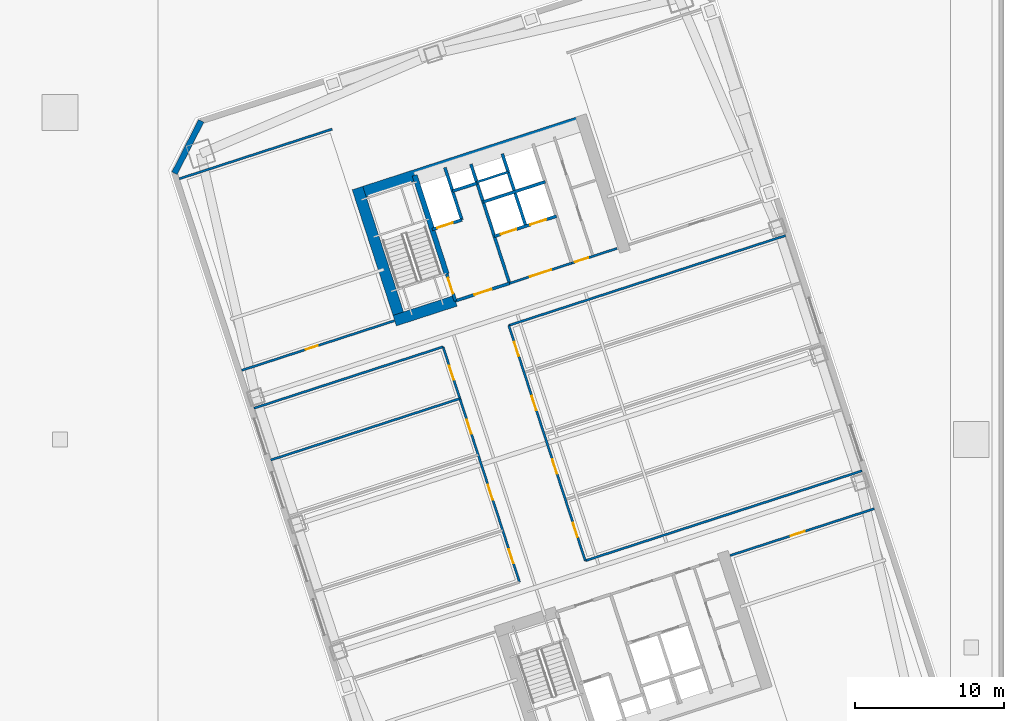
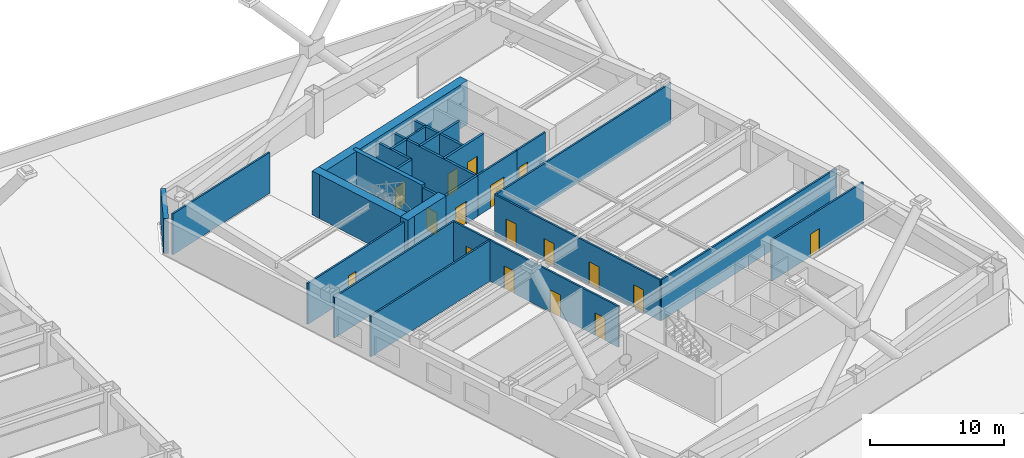
# One storey, part 10 of 20: 26 walls, 17 doors, 17 openings.
"""IFC4 building model written with IfcOpenShell, lengths in metres."""

from ifc_helpers import new_model, si_unit, direction, frame, frame_2d, origin, place, context, subcontext, project, spatial, rectangle, extrude, material, layer, layer_set, type_object, element, fill, save


model = new_model("IFC4")

# Units and contexts
model_context = context("Model", 3, precision=1e-05, world=origin(), true_north=direction((0.0, 1.0)))
body_context = subcontext(model_context, "Body", "Model", "MODEL_VIEW")
ifc_project = project(units=[si_unit("LENGTHUNIT", "METRE"), si_unit("AREAUNIT", "SQUARE_METRE"), si_unit("VOLUMEUNIT", "CUBIC_METRE"), si_unit("PLANEANGLEUNIT", "RADIAN"), si_unit("MASSUNIT", "GRAM", prefix="KILO")], contexts=[model_context])

# Site, building, storey
site_placement = place(None, origin())
site = spatial("IfcSite", under=ifc_project, at=site_placement, CompositionType="ELEMENT")
building_placement = place(site_placement, origin())
building = spatial("IfcBuilding", under=site, at=building_placement, Name="Qiaolan Cultural Towers", CompositionType="ELEMENT")
storey_placement = place(building_placement, frame((0.0, 0.0, 26.0)))
storey = spatial("IfcBuildingStorey", under=building, at=storey_placement, Name="L05", CompositionType="ELEMENT", Elevation=26.0)

# Walls
ifc_material_1 = material(Name="Concrete C50", Category="concrete")
ifc_layer_1 = layer(ifc_material_1, 0.35009765625)
ifc_layer_set_1 = layer_set([ifc_layer_1], Name="Concrete C50")
wall_type_1 = type_object("IfcWallType", Name="WL-CORE-350", PredefinedType="SHEAR", material=ifc_layer_set_1)
wall_1_placement = place(storey_placement, frame((82.513671875, 45.13134765625, 0.0), z_axis=(0.0, 0.0, 1.0), x_axis=(-0.308988790936, 0.951065679686, 0.0)))
element("IfcWall", 1, at=wall_1_placement, inside=storey, type_object=wall_type_1, Name="L05 T2-CN Stair Core Dividing Web", PredefinedType="SHEAR", context=body_context, shape_type="SweptSolid", body=[
    extrude(rectangle(XDim=6.97998046875, YDim=0.35009765625, at=frame_2d((3.489990234375, 0.0))), origin(), (0.0, 0.0, 1.0), 4.0),
])
ifc_material_2 = material(Name="Concrete C60", Category="concrete")
ifc_layer_2 = layer(ifc_material_2, 0.75)
ifc_layer_set_2 = layer_set([ifc_layer_2], Name="Concrete C60")
wall_type_2 = type_object("IfcWallType", Name="WL-CORE-750", PredefinedType="SHEAR", material=ifc_layer_set_2)
wall_2_placement = place(storey_placement, frame((76.27197265625, 50.442626953125, 0.0), z_axis=(0.0, 0.0, 1.0), x_axis=(0.951056072937, 0.309018358888, 0.0)))
element("IfcWall", 2, at=wall_2_placement, inside=storey, type_object=wall_type_2, Name="L05 T2-CN Outer Core Shear Wall", PredefinedType="SHEAR", context=body_context, shape_type="SweptSolid", body=[
    extrude(rectangle(XDim=16.550048828125, YDim=0.75, at=frame_2d((8.27490234375, 0.0))), origin(), (0.0, 0.0, 1.0), 4.0),
])
wall_3_placement = place(storey_placement, frame((79.48876953125, 41.75634765625, 0.0), z_axis=(0.0, 0.0, 1.0), x_axis=(-0.309016134813, 0.951056795583, 0.0)))
element("IfcWall", 3, at=wall_3_placement, inside=storey, type_object=wall_type_2, Name="L05 T2-CN West Core Shear Wall", PredefinedType="SHEAR", context=body_context, shape_type="SweptSolid", body=[
    extrude(rectangle(XDim=9.630126953125, YDim=0.75, at=frame_2d((4.81494140625, 0.0))), origin(), (0.0, 0.0, 1.0), 4.0),
])
wall_4_placement = place(storey_placement, frame((79.01611328125, 41.997314453125, 0.0), z_axis=(0.0, 0.0, 1.0), x_axis=(0.95106038264, 0.309005094736, 0.0)))
element("IfcWall", 4, at=wall_4_placement, inside=storey, type_object=wall_type_2, Name="L05 T2-CN Stair Front Shear Wall", PredefinedType="SHEAR", context=body_context, shape_type="SweptSolid", body=[
    extrude(rectangle(XDim=4.294921875, YDim=0.75, at=frame_2d((2.1474609375, 0.0))), origin(), (0.0, 0.0, 1.0), 4.0),
])
ifc_material_3 = material(Name="Precast Concrete C50 Honed Stone Pier", Category="masonry")
ifc_layer_3 = layer(ifc_material_3, 0.39990234375)
ifc_layer_set_3 = layer_set([ifc_layer_3], Name="Precast Concrete C50 Honed Stone Pier")
wall_type_3 = type_object("IfcWallType", Name="WL-EXT-PIER-400", PredefinedType="SOLIDWALL", material=ifc_layer_set_3)
wall_5_placement = place(storey_placement, frame((64.20458984375, 51.905029296875, 0.0), z_axis=(0.0, 0.0, 1.0), x_axis=(0.453958106755, 0.891023028497, 0.0)))
element("IfcWall", 5, at=wall_5_placement, inside=storey, type_object=wall_type_3, Name="L05 East Tower Precast Pier Facade Wall F2", PredefinedType="SOLIDWALL", context=body_context, shape_type="SweptSolid", body=[
    extrude(rectangle(XDim=3.9599609375, YDim=0.39990234375, at=frame_2d((1.97998046875, 0.0))), origin(), (0.0, 0.0, 1.0), 3.159912109375),
])

# Wall, opening, door
ifc_material_4 = material(Name="Concrete C35 Fire Wall", Category="concrete")
ifc_layer_4 = layer(ifc_material_4, 0.199951171875)
ifc_layer_set_4 = layer_set([ifc_layer_4], Name="Concrete C35 Fire Wall")
wall_type_4 = type_object("IfcWallType", Name="WL-FIRE-200", PredefinedType="PARTITIONING", material=ifc_layer_set_4)
wall_6_placement = place(storey_placement, frame((83.100830078125, 43.324462890625, 0.0), z_axis=(0.0, 0.0, 1.0), x_axis=(-0.309048298632, 0.951046344356, 0.0)))
wall_6 = element("IfcWall", 6, at=wall_6_placement, inside=storey, type_object=wall_type_4, Name="L05 T2-CN Smokeproof Stair Entry Wall", PredefinedType="PARTITIONING", context=body_context, shape_type="SweptSolid", body=[
    extrude(rectangle(XDim=1.89990234375, YDim=0.199951171875, at=frame_2d((0.949951171875, 0.0))), origin(), (0.0, 0.0, 1.0), 3.72509765625),
])
opening_1_placement = place(wall_6_placement, frame((0.52001953125, 0.0, 0.0)))
opening_1 = element("IfcOpeningElement", 7, at=opening_1_placement, cuts=wall_6, Name="Opening FD-04", PredefinedType="OPENING", context=body_context, shape_type="SweptSolid", body=[
    extrude(rectangle(XDim=1.10009765625, YDim=2.050048828125, at=frame_2d((0.550048828125, 1.02490234375))), frame((0.0, 0.10986328125, 0.0), z_axis=(0.0, -1.0, 0.0), x_axis=(1.0, 0.0, 0.0)), (0.0, 0.0, 1.0), 0.219970703125),
])
ifc_material_5 = material(Name="Galvanized Steel Command Fire Door", Category="steel")
door_type_1 = type_object("IfcDoorType", Name="DR-FD90-1100", OperationType="NOTDEFINED", PredefinedType="DOOR", material=ifc_material_5)
door_1_placement = place(opening_1_placement, origin())
door_1 = element("IfcDoor", 8, at=door_1_placement, inside=storey, type_object=door_type_1, Name="L05 ST-E2 Smokeproof Stair Fire Door", OperationType="SINGLE_SWING_LEFT", OverallHeight=2.050048828125, OverallWidth=1.10009765625, PredefinedType="DOOR", context=body_context, shape_type="SweptSolid", body=[
    extrude(rectangle(XDim=1.10009765625, YDim=2.050048828125, at=frame_2d((0.550048828125, 1.02490234375))), frame((0.0, 0.02490234375, 0.0), z_axis=(0.0, -1.0, 0.0), x_axis=(1.0, 0.0, 0.0)), (0.0, 0.0, 1.0), 0.050048828125),
])
fill(opening_1, door_1)

# Wall
wall_7_placement = place(storey_placement, frame((86.743408203125, 44.508056640625, 0.0), z_axis=(0.0, 0.0, 1.0), x_axis=(-0.309016001439, 0.951056838919, 0.0)))
element("IfcWall", 9, at=wall_7_placement, inside=storey, type_object=wall_type_4, Name="L05 T2-CN Firefighting Zone Wall", PredefinedType="PARTITIONING", context=body_context, shape_type="SweptSolid", body=[
    extrude(rectangle(XDim=8.429931640625, YDim=0.199951171875, at=frame_2d((4.21484375, 0.0))), origin(), (0.0, 0.0, 1.0), 3.72509765625),
])

# Wall, opening, door
wall_8_placement = place(storey_placement, frame((83.100830078125, 43.324462890625, 0.0), z_axis=(0.0, 0.0, 1.0), x_axis=(0.951052804469, 0.309028417967, 0.0)))
wall_8 = element("IfcWall", 10, at=wall_8_placement, inside=storey, type_object=wall_type_4, Name="L05 T2-CN Firefighting Lobby Front Wall", PredefinedType="PARTITIONING", context=body_context, shape_type="SweptSolid", body=[
    extrude(rectangle(XDim=3.830078125, YDim=0.199951171875, at=frame_2d((1.9150390625, 0.0))), origin(), (0.0, 0.0, 1.0), 3.72509765625),
])
opening_2_placement = place(wall_8_placement, frame((1.35009765625, 0.0, 0.0)))
opening_2 = element("IfcOpeningElement", 11, at=opening_2_placement, cuts=wall_8, Name="Opening FD-03", PredefinedType="OPENING", context=body_context, shape_type="SweptSolid", body=[
    extrude(rectangle(XDim=1.199951171875, YDim=2.050048828125, at=frame_2d((0.60009765625, 1.02490234375))), frame((0.0, 0.10986328125, 0.0), z_axis=(0.0, -1.0, 0.0), x_axis=(1.0, 0.0, 0.0)), (0.0, 0.0, 1.0), 0.219970703125),
])
ifc_material_6 = material(Name="Galvanized Steel Smokeproof Lobby Fire Door", Category="steel")
door_type_2 = type_object("IfcDoorType", Name="DR-FD90-1200", OperationType="NOTDEFINED", PredefinedType="DOOR", material=ifc_material_6)
door_2_placement = place(opening_2_placement, origin())
door_2 = element("IfcDoor", 12, at=door_2_placement, inside=storey, type_object=door_type_2, Name="L05 FFL-E2 Firefighting Lobby Fire Door", OperationType="SINGLE_SWING_LEFT", OverallHeight=2.050048828125, OverallWidth=1.199951171875, PredefinedType="DOOR", context=body_context, shape_type="SweptSolid", body=[
    extrude(rectangle(XDim=1.199951171875, YDim=2.050048828125, at=frame_2d((0.60009765625, 1.02490234375))), frame((0.0, 0.02490234375, 0.0), z_axis=(0.0, -1.0, 0.0), x_axis=(1.0, 0.0, 0.0)), (0.0, 0.0, 1.0), 0.050048828125),
])
fill(opening_2, door_2)

wall_9_placement = place(storey_placement, frame((81.540283203125, 48.127197265625, 0.0), z_axis=(0.0, 0.0, 1.0), x_axis=(0.951062257173, 0.308999325213, 0.0)))
wall_9 = element("IfcWall", 13, at=wall_9_placement, inside=storey, type_object=wall_type_4, Name="L05 T2-CN Firefighting Shaft Front Wall", PredefinedType="PARTITIONING", context=body_context, shape_type="SweptSolid", body=[
    extrude(rectangle(XDim=2.10009765625, YDim=0.199951171875, at=frame_2d((1.050048828125, 0.0))), origin(), (0.0, 0.0, 1.0), 3.72509765625),
])
opening_3_placement = place(wall_9_placement, frame((0.35009765625, 0.0, 0.0)))
opening_3 = element("IfcOpeningElement", 14, at=opening_3_placement, cuts=wall_9, Name="Opening LD-01", PredefinedType="OPENING", context=body_context, shape_type="SweptSolid", body=[
    extrude(rectangle(XDim=1.10009765625, YDim=2.050048828125, at=frame_2d((0.550048828125, 1.02490234375))), frame((0.0, 0.10986328125, 0.0), z_axis=(0.0, -1.0, 0.0), x_axis=(1.0, 0.0, 0.0)), (0.0, 0.0, 1.0), 0.219970703125),
])
ifc_material_7 = material(Name="Brushed Stainless Steel S30408 Centre-Parting Lift Landing Door", Category="steel")
door_type_3 = type_object("IfcDoorType", Name="DR-LIFT-1100", OperationType="NOTDEFINED", PredefinedType="DOOR", material=ifc_material_7)
door_3_placement = place(opening_3_placement, origin())
door_3 = element("IfcDoor", 15, at=door_3_placement, inside=storey, type_object=door_type_3, Name="L05 FFL-E2 Firefighting Lift Landing Door", OperationType="DOUBLE_DOOR_SLIDING", OverallHeight=2.050048828125, OverallWidth=1.10009765625, PredefinedType="DOOR", context=body_context, shape_type="SweptSolid", body=[
    extrude(rectangle(XDim=1.10009765625, YDim=2.050048828125, at=frame_2d((0.550048828125, 1.02490234375))), frame((0.0, 0.02490234375, 0.0), z_axis=(0.0, -1.0, 0.0), x_axis=(1.0, 0.0, 0.0)), (0.0, 0.0, 1.0), 0.050048828125),
])
fill(opening_3, door_3)

# Walls
wall_10_placement = place(storey_placement, frame((83.53759765625, 48.776123046875, 0.0), z_axis=(0.0, 0.0, 1.0), x_axis=(-0.3089935693, 0.951064127245, 0.0)))
element("IfcWall", 16, at=wall_10_placement, inside=storey, type_object=wall_type_4, Name="L05 T2-CN Firefighting Hoistway East Wall", PredefinedType="PARTITIONING", context=body_context, shape_type="SweptSolid", body=[
    extrude(rectangle(XDim=3.7001953125, YDim=0.199951171875, at=frame_2d((1.85009765625, 0.0))), origin(), (0.0, 0.0, 1.0), 3.72509765625),
])
wall_11_placement = place(storey_placement, frame((82.910400390625, 50.706787109375, 0.0), z_axis=(0.0, 0.0, 1.0), x_axis=(0.951041328149, 0.309063734775, 0.0)))
element("IfcWall", 17, at=wall_11_placement, inside=storey, type_object=wall_type_4, Name="L05 T2-CN Pressurization Shaft Front Wall", PredefinedType="PARTITIONING", context=body_context, shape_type="SweptSolid", body=[
    extrude(rectangle(XDim=1.72998046875, YDim=0.199951171875, at=frame_2d((0.864990234375, 0.0))), origin(), (0.0, 0.0, 1.0), 3.72509765625),
])

# Wall, openings, doors
wall_12_placement = place(storey_placement, frame((85.717529296875, 47.66552734375, 0.0), z_axis=(0.0, 0.0, 1.0), x_axis=(0.951058531764, 0.30901079133, 0.0)))
wall_12 = element("IfcWall", 18, at=wall_12_placement, inside=storey, type_object=wall_type_4, Name="L05 T2-CN Passenger Lift Shaft Front Wall", PredefinedType="PARTITIONING", context=body_context, shape_type="SweptSolid", body=[
    extrude(rectangle(XDim=4.39990234375, YDim=0.199951171875, at=frame_2d((2.199951171875, 0.0))), origin(), (0.0, 0.0, 1.0), 3.72509765625),
])
opening_4_placement = place(wall_12_placement, frame((0.449951171875, 0.0, 0.0)))
opening_4 = element("IfcOpeningElement", 19, at=opening_4_placement, cuts=wall_12, Name="Opening LD-01", PredefinedType="OPENING", context=body_context, shape_type="SweptSolid", body=[
    extrude(rectangle(XDim=1.10009765625, YDim=2.050048828125, at=frame_2d((0.550048828125, 1.02490234375))), frame((0.0, 0.10986328125, 0.0), z_axis=(0.0, -1.0, 0.0), x_axis=(1.0, 0.0, 0.0)), (0.0, 0.0, 1.0), 0.219970703125),
])
opening_5_placement = place(wall_12_placement, frame((2.550048828125, 0.0, 0.0)))
opening_5 = element("IfcOpeningElement", 20, at=opening_5_placement, cuts=wall_12, Name="Opening LD-01", PredefinedType="OPENING", context=body_context, shape_type="SweptSolid", body=[
    extrude(rectangle(XDim=1.10009765625, YDim=2.050048828125, at=frame_2d((0.550048828125, 1.02490234375))), frame((0.0, 0.10986328125, 0.0), z_axis=(0.0, -1.0, 0.0), x_axis=(1.0, 0.0, 0.0)), (0.0, 0.0, 1.0), 0.219970703125),
])
door_4_placement = place(opening_4_placement, origin())
door_4 = element("IfcDoor", 21, at=door_4_placement, inside=storey, type_object=door_type_3, Name="L05 Passenger Lift 1 Landing Door", OperationType="DOUBLE_DOOR_SLIDING", OverallHeight=2.050048828125, OverallWidth=1.10009765625, PredefinedType="DOOR", context=body_context, shape_type="SweptSolid", body=[
    extrude(rectangle(XDim=1.10009765625, YDim=2.050048828125, at=frame_2d((0.550048828125, 1.02490234375))), frame((0.0, 0.02490234375, 0.0), z_axis=(0.0, -1.0, 0.0), x_axis=(1.0, 0.0, 0.0)), (0.0, 0.0, 1.0), 0.050048828125),
])
fill(opening_4, door_4)
door_5_placement = place(opening_5_placement, origin())
door_5 = element("IfcDoor", 22, at=door_5_placement, inside=storey, type_object=door_type_3, Name="L05 Passenger Lift 2 Landing Door", OperationType="DOUBLE_DOOR_SLIDING", OverallHeight=2.050048828125, OverallWidth=1.10009765625, PredefinedType="DOOR", context=body_context, shape_type="SweptSolid", body=[
    extrude(rectangle(XDim=1.10009765625, YDim=2.050048828125, at=frame_2d((0.550048828125, 1.02490234375))), frame((0.0, 0.02490234375, 0.0), z_axis=(0.0, -1.0, 0.0), x_axis=(1.0, 0.0, 0.0)), (0.0, 0.0, 1.0), 0.050048828125),
])
fill(opening_5, door_5)

# Walls
wall_13_placement = place(storey_placement, frame((87.83837890625, 48.3544921875, 0.0), z_axis=(0.0, 0.0, 1.0), x_axis=(-0.3090093719, 0.951058992953, 0.0)))
element("IfcWall", 23, at=wall_13_placement, inside=storey, type_object=wall_type_4, Name="L05 T2-CN Lift Shaft Divider Wall", PredefinedType="PARTITIONING", context=body_context, shape_type="SweptSolid", body=[
    extrude(rectangle(XDim=5.110107421875, YDim=0.199951171875, at=frame_2d((2.55517578125, 0.0))), origin(), (0.0, 0.0, 1.0), 3.72509765625),
])
wall_14_placement = place(storey_placement, frame((84.966552734375, 49.9765625, 0.0), z_axis=(0.0, 0.0, 1.0), x_axis=(0.951063829732, 0.308994485023, 0.0)))
element("IfcWall", 24, at=wall_14_placement, inside=storey, type_object=wall_type_4, Name="L05 T2-CN Passenger Lift Shaft Back Wall", PredefinedType="PARTITIONING", context=body_context, shape_type="SweptSolid", body=[
    extrude(rectangle(XDim=4.400146484375, YDim=0.199951171875, at=frame_2d((2.2001953125, 0.0))), origin(), (0.0, 0.0, 1.0), 3.72509765625),
])

# Wall, opening, door
ifc_material_8 = material(Name="Autoclaved Aerated Concrete Block B06", Category="concrete")
ifc_layer_5 = layer(ifc_material_8, 0.14990234375)
ifc_layer_set_5 = layer_set([ifc_layer_5], Name="Autoclaved Aerated Concrete Block B06")
wall_type_5 = type_object("IfcWallType", Name="WL-PART-150", PredefinedType="PARTITIONING", material=ifc_layer_set_5)
wall_15_placement = place(storey_placement, frame((86.743408203125, 44.508056640625, 0.0), z_axis=(0.0, 0.0, 1.0), x_axis=(0.951063829732, 0.308994485023, 0.0)))
wall_15 = element("IfcWall", 25, at=wall_15_placement, inside=storey, type_object=wall_type_5, Name="L05 T2-CN Passenger Lift Lobby Front Wall", PredefinedType="PARTITIONING", context=body_context, shape_type="SweptSolid", body=[
    extrude(rectangle(XDim=4.400146484375, YDim=0.14990234375, at=frame_2d((2.2001953125, 0.0))), origin(), (0.0, 0.0, 1.0), 3.72509765625),
])
opening_6_placement = place(wall_15_placement, frame((1.449951171875, 0.0, 0.0)))
opening_6 = element("IfcOpeningElement", 26, at=opening_6_placement, cuts=wall_15, Name="Opening FD-05", PredefinedType="OPENING", context=body_context, shape_type="SweptSolid", body=[
    extrude(rectangle(XDim=1.5, YDim=2.050048828125, at=frame_2d((0.75, 1.02490234375))), frame((0.0, 0.0849609375, 0.0), z_axis=(0.0, -1.0, 0.0), x_axis=(1.0, 0.0, 0.0)), (0.0, 0.0, 1.0), 0.169921875),
])
ifc_material_9 = material(Name="Painted Steel Lift Lobby Fire Door", Category="steel")
door_type_4 = type_object("IfcDoorType", Name="DR-FD60-1500", OperationType="NOTDEFINED", PredefinedType="DOOR", material=ifc_material_9)
door_6_placement = place(opening_6_placement, origin())
door_6 = element("IfcDoor", 27, at=door_6_placement, inside=storey, type_object=door_type_4, Name="L05 Passenger Lift Lobby Entrance", OperationType="SINGLE_SWING_LEFT", OverallHeight=2.050048828125, OverallWidth=1.5, PredefinedType="DOOR", context=body_context, shape_type="SweptSolid", body=[
    extrude(rectangle(XDim=1.5, YDim=2.050048828125, at=frame_2d((0.75, 1.02490234375))), frame((0.0, 0.02490234375, 0.0), z_axis=(0.0, -1.0, 0.0), x_axis=(1.0, 0.0, 0.0)), (0.0, 0.0, 1.0), 0.050048828125),
])
fill(opening_6, door_6)

# Wall
wall_16_placement = place(storey_placement, frame((84.533935546875, 51.30810546875, 0.0), z_axis=(0.0, 0.0, 1.0), x_axis=(0.951075093106, 0.308959814982, 0.0)))
element("IfcWall", 28, at=wall_16_placement, inside=storey, type_object=wall_type_5, Name="L05 T2-CN Core Rear Riser Split", PredefinedType="PARTITIONING", context=body_context, shape_type="SweptSolid", body=[
    extrude(rectangle(XDim=2.22998046875, YDim=0.14990234375, at=frame_2d((1.114990234375, 0.0))), origin(), (0.0, 0.0, 1.0), 3.72509765625),
])

# Wall, opening, door
wall_17_placement = place(storey_placement, frame((90.92822265625, 45.86767578125, 0.0), z_axis=(0.0, 0.0, 1.0), x_axis=(0.951059297078, 0.309008435874, 0.0)))
wall_17 = element("IfcWall", 29, at=wall_17_placement, inside=storey, type_object=wall_type_5, Name="L05 T2-CN Sanitary Core Front Wall", PredefinedType="PARTITIONING", context=body_context, shape_type="SweptSolid", body=[
    extrude(rectangle(XDim=3.19970703125, YDim=0.14990234375, at=frame_2d((1.599853515625, 0.0))), origin(), (0.0, 0.0, 1.0), 3.72509765625),
])
opening_7_placement = place(wall_17_placement, frame((0.219970703125, 0.0, 0.0)))
opening_7 = element("IfcOpeningElement", 30, at=opening_7_placement, cuts=wall_17, Name="Opening ID-05", PredefinedType="OPENING", context=body_context, shape_type="SweptSolid", body=[
    extrude(rectangle(XDim=0.949951171875, YDim=2.050048828125, at=frame_2d((0.47509765625, 1.02490234375))), frame((0.0, 0.0849609375, 0.0), z_axis=(0.0, -1.0, 0.0), x_axis=(1.0, 0.0, 0.0)), (0.0, 0.0, 1.0), 0.169921875),
])
ifc_material_10 = material(Name="Fire-Rated Laminate Accessible Core Door", Category="timber")
door_type_5 = type_object("IfcDoorType", Name="DR-INT-950", OperationType="NOTDEFINED", PredefinedType="DOOR", material=ifc_material_10)
door_7_placement = place(opening_7_placement, origin())
door_7 = element("IfcDoor", 31, at=door_7_placement, inside=storey, type_object=door_type_5, Name="L05 Sanitary Lobby Door", OperationType="SINGLE_SWING_LEFT", OverallHeight=2.050048828125, OverallWidth=0.949951171875, PredefinedType="DOOR", context=body_context, shape_type="SweptSolid", body=[
    extrude(rectangle(XDim=0.949951171875, YDim=2.050048828125, at=frame_2d((0.47509765625, 1.02490234375))), frame((0.0, 0.02490234375, 0.0), z_axis=(0.0, -1.0, 0.0), x_axis=(1.0, 0.0, 0.0)), (0.0, 0.0, 1.0), 0.050048828125),
])
fill(opening_7, door_7)

wall_18_placement = place(storey_placement, frame((101.578369140625, 26.196044921875, 0.0), z_axis=(0.0, 0.0, 1.0), x_axis=(0.951059043131, 0.309009217467, 0.0)))
wall_18 = element("IfcWall", 32, at=wall_18_placement, inside=storey, type_object=wall_type_5, Name="L05 T2 Flank Front FLK-SE", PredefinedType="PARTITIONING", context=body_context, shape_type="SweptSolid", body=[
    extrude(rectangle(XDim=10.199951171875, YDim=0.14990234375, at=frame_2d((5.10009765625, 0.0))), origin(), (0.0, 0.0, 1.0), 3.72509765625),
])
opening_8_placement = place(wall_18_placement, frame((4.283935546875, 0.0, 0.0)))
opening_8 = element("IfcOpeningElement", 33, at=opening_8_placement, cuts=wall_18, Name="Opening ID-04", PredefinedType="OPENING", context=body_context, shape_type="SweptSolid", body=[
    extrude(rectangle(XDim=1.0, YDim=2.050048828125, at=frame_2d((0.5, 1.02490234375))), frame((0.0, 0.0849609375, 0.0), z_axis=(0.0, -1.0, 0.0), x_axis=(1.0, 0.0, 0.0)), (0.0, 0.0, 1.0), 0.169921875),
])
ifc_material_11 = material(Name="Oak Veneer Acoustic Office Door", Category="timber")
door_type_6 = type_object("IfcDoorType", Name="DR-INT-1000", OperationType="NOTDEFINED", PredefinedType="DOOR", material=ifc_material_11)
door_8_placement = place(opening_8_placement, origin())
door_8 = element("IfcDoor", 34, at=door_8_placement, inside=storey, type_object=door_type_6, Name="L05 T2 Corner Studio Door", OperationType="SINGLE_SWING_LEFT", OverallHeight=2.050048828125, OverallWidth=1.0, PredefinedType="DOOR", context=body_context, shape_type="SweptSolid", body=[
    extrude(rectangle(XDim=1.0, YDim=2.050048828125, at=frame_2d((0.5, 1.02490234375))), frame((0.0, 0.02490234375, 0.0), z_axis=(0.0, -1.0, 0.0), x_axis=(1.0, 0.0, 0.0)), (0.0, 0.0, 1.0), 0.050048828125),
])
fill(opening_8, door_8)

# Wall
wall_19_placement = place(storey_placement, frame((64.53369140625, 51.538818359375, 0.0), z_axis=(0.0, 0.0, 1.0), x_axis=(0.951056658866, 0.309016555588, 0.0)))
element("IfcWall", 35, at=wall_19_placement, inside=storey, type_object=wall_type_5, Name="L05 T2 Flank Wall FLK-NW", PredefinedType="PARTITIONING", context=body_context, shape_type="SweptSolid", body=[
    extrude(rectangle(XDim=10.800048828125, YDim=0.14990234375, at=frame_2d((5.39990234375, 0.0))), origin(), (0.0, 0.0, 1.0), 3.72509765625),
])

# Wall, opening, door
wall_20_placement = place(storey_placement, frame((68.720947265625, 38.652099609375, 0.0), z_axis=(0.0, 0.0, 1.0), x_axis=(0.951056658866, 0.309016555588, 0.0)))
wall_20 = element("IfcWall", 36, at=wall_20_placement, inside=storey, type_object=wall_type_5, Name="L05 T2 Flank Front FLK-NW", PredefinedType="PARTITIONING", context=body_context, shape_type="SweptSolid", body=[
    extrude(rectangle(XDim=10.800048828125, YDim=0.14990234375, at=frame_2d((5.39990234375, 0.0))), origin(), (0.0, 0.0, 1.0), 3.72509765625),
])
opening_9_placement = place(wall_20_placement, frame((4.535888671875, 0.0, 0.0)))
opening_9 = element("IfcOpeningElement", 37, at=opening_9_placement, cuts=wall_20, Name="Opening ID-09", PredefinedType="OPENING", context=body_context, shape_type="SweptSolid", body=[
    extrude(rectangle(XDim=0.85009765625, YDim=2.050048828125, at=frame_2d((0.425048828125, 1.02490234375))), frame((0.0, 0.0849609375, 0.0), z_axis=(0.0, -1.0, 0.0), x_axis=(1.0, 0.0, 0.0)), (0.0, 0.0, 1.0), 0.169921875),
])
ifc_material_12 = material(Name="Moisture-Resistant Laminate Utility Door", Category="timber")
door_type_7 = type_object("IfcDoorType", Name="DR-INT-850", OperationType="NOTDEFINED", PredefinedType="DOOR", material=ifc_material_12)
door_9_placement = place(opening_9_placement, origin())
door_9 = element("IfcDoor", 38, at=door_9_placement, inside=storey, type_object=door_type_7, Name="L05 T2 Corner Studio Door", OperationType="SINGLE_SWING_LEFT", OverallHeight=2.050048828125, OverallWidth=0.85009765625, PredefinedType="DOOR", context=body_context, shape_type="SweptSolid", body=[
    extrude(rectangle(XDim=0.85009765625, YDim=2.050048828125, at=frame_2d((0.425048828125, 1.02490234375))), frame((0.0, 0.02490234375, 0.0), z_axis=(0.0, -1.0, 0.0), x_axis=(1.0, 0.0, 0.0)), (0.0, 0.0, 1.0), 0.050048828125),
])
fill(opening_9, door_9)

# Walls
wall_21_placement = place(storey_placement, frame((91.833984375, 25.84765625, 0.0), z_axis=(0.0, 0.0, 1.0), x_axis=(0.951055605195, 0.309019798438, 0.0)))
element("IfcWall", 39, at=wall_21_placement, inside=storey, type_object=wall_type_5, Name="L05 T2 South Corridor Right Wall", PredefinedType="PARTITIONING", context=body_context, shape_type="SweptSolid", body=[
    extrude(rectangle(XDim=19.574951171875, YDim=0.14990234375, at=frame_2d((9.78759765625, 0.0))), origin(), (0.0, 0.0, 1.0), 3.72509765625),
])
wall_22_placement = place(storey_placement, frame((69.549072265625, 36.103271484375, 0.0), z_axis=(0.0, 0.0, 1.0), x_axis=(0.951058077006, 0.309012190961, 0.0)))
element("IfcWall", 40, at=wall_22_placement, inside=storey, type_object=wall_type_5, Name="L05 T2 North Corridor Left Wall", PredefinedType="PARTITIONING", context=body_context, shape_type="SweptSolid", body=[
    extrude(rectangle(XDim=13.375, YDim=0.14990234375, at=frame_2d((6.6875, 0.0))), origin(), (0.0, 0.0, 1.0), 3.72509765625),
])
wall_23_placement = place(storey_placement, frame((86.69189453125, 41.67333984375, 0.0), z_axis=(0.0, 0.0, 1.0), x_axis=(0.951055605195, 0.309019798438, 0.0)))
element("IfcWall", 41, at=wall_23_placement, inside=storey, type_object=wall_type_5, Name="L05 T2 North Corridor Right Wall", PredefinedType="PARTITIONING", context=body_context, shape_type="SweptSolid", body=[
    extrude(rectangle(XDim=19.574951171875, YDim=0.14990234375, at=frame_2d((9.78759765625, 0.0))), origin(), (0.0, 0.0, 1.0), 3.72509765625),
])

# Wall, openings, doors
wall_24_placement = place(storey_placement, frame((87.41162109375, 24.410888671875, 0.0), z_axis=(0.0, 0.0, 1.0), x_axis=(-0.309022042254, 0.951054876125, 0.0)))
wall_24 = element("IfcWall", 42, at=wall_24_placement, inside=storey, type_object=wall_type_5, Name="L05 T2 West Spine Wall", PredefinedType="PARTITIONING", context=body_context, shape_type="SweptSolid", body=[
    extrude(rectangle(XDim=16.639892578125, YDim=0.14990234375, at=frame_2d((8.31982421875, 0.0))), origin(), (0.0, 0.0, 1.0), 3.72509765625),
])
opening_10_placement = place(wall_24_placement, frame((1.330322265625, 0.0, 0.0)))
opening_10 = element("IfcOpeningElement", 43, at=opening_10_placement, cuts=wall_24, Name="Opening ID-04", PredefinedType="OPENING", context=body_context, shape_type="SweptSolid", body=[
    extrude(rectangle(XDim=1.0, YDim=2.050048828125, at=frame_2d((0.5, 1.02490234375))), frame((0.0, 0.0849609375, 0.0), z_axis=(0.0, -1.0, 0.0), x_axis=(1.0, 0.0, 0.0)), (0.0, 0.0, 1.0), 0.169921875),
])
opening_11_placement = place(wall_24_placement, frame((5.830322265625, 0.0, 0.0)))
opening_11 = element("IfcOpeningElement", 44, at=opening_11_placement, cuts=wall_24, Name="Opening ID-07", PredefinedType="OPENING", context=body_context, shape_type="SweptSolid", body=[
    extrude(rectangle(XDim=1.050048828125, YDim=2.050048828125, at=frame_2d((0.52490234375, 1.02490234375))), frame((0.0, 0.0849609375, 0.0), z_axis=(0.0, -1.0, 0.0), x_axis=(1.0, 0.0, 0.0)), (0.0, 0.0, 1.0), 0.169921875),
])
opening_12_placement = place(wall_24_placement, frame((10.489501953125, 0.0, 0.0)))
opening_12 = element("IfcOpeningElement", 45, at=opening_12_placement, cuts=wall_24, Name="Opening ID-04", PredefinedType="OPENING", context=body_context, shape_type="SweptSolid", body=[
    extrude(rectangle(XDim=1.0, YDim=2.050048828125, at=frame_2d((0.5, 1.02490234375))), frame((0.0, 0.0849609375, 0.0), z_axis=(0.0, -1.0, 0.0), x_axis=(1.0, 0.0, 0.0)), (0.0, 0.0, 1.0), 0.169921875),
])
opening_13_placement = place(wall_24_placement, frame((14.3095703125, 0.0, 0.0)))
opening_13 = element("IfcOpeningElement", 46, at=opening_13_placement, cuts=wall_24, Name="Opening ID-04", PredefinedType="OPENING", context=body_context, shape_type="SweptSolid", body=[
    extrude(rectangle(XDim=1.0, YDim=2.050048828125, at=frame_2d((0.5, 1.02490234375))), frame((0.0, 0.0849609375, 0.0), z_axis=(0.0, -1.0, 0.0), x_axis=(1.0, 0.0, 0.0)), (0.0, 0.0, 1.0), 0.169921875),
])
door_10_placement = place(opening_10_placement, origin())
door_10 = element("IfcDoor", 47, at=door_10_placement, inside=storey, type_object=door_type_6, Name="L05 T2 Gallery Exhibition Room Door", OperationType="SINGLE_SWING_LEFT", OverallHeight=2.050048828125, OverallWidth=1.0, PredefinedType="DOOR", context=body_context, shape_type="SweptSolid", body=[
    extrude(rectangle(XDim=1.0, YDim=2.050048828125, at=frame_2d((0.5, 1.02490234375))), frame((0.0, 0.02490234375, 0.0), z_axis=(0.0, -1.0, 0.0), x_axis=(1.0, 0.0, 0.0)), (0.0, 0.0, 1.0), 0.050048828125),
])
fill(opening_10, door_10)
door_11_placement = place(opening_12_placement, origin())
door_11 = element("IfcDoor", 48, at=door_11_placement, inside=storey, type_object=door_type_6, Name="L05 T2 Conservation Studio Door", OperationType="SINGLE_SWING_LEFT", OverallHeight=2.050048828125, OverallWidth=1.0, PredefinedType="DOOR", context=body_context, shape_type="SweptSolid", body=[
    extrude(rectangle(XDim=1.0, YDim=2.050048828125, at=frame_2d((0.5, 1.02490234375))), frame((0.0, 0.02490234375, 0.0), z_axis=(0.0, -1.0, 0.0), x_axis=(1.0, 0.0, 0.0)), (0.0, 0.0, 1.0), 0.050048828125),
])
fill(opening_12, door_11)
door_12_placement = place(opening_13_placement, origin())
door_12 = element("IfcDoor", 49, at=door_12_placement, inside=storey, type_object=door_type_6, Name="L05 T2 Gallery Exhibition Room Door", OperationType="SINGLE_SWING_RIGHT", OverallHeight=2.050048828125, OverallWidth=1.0, PredefinedType="DOOR", context=body_context, shape_type="SweptSolid", body=[
    extrude(rectangle(XDim=1.0, YDim=2.050048828125, at=frame_2d((0.5, 1.02490234375))), frame((0.0, 0.02490234375, 0.0), z_axis=(0.0, -1.0, 0.0), x_axis=(1.0, 0.0, 0.0)), (0.0, 0.0, 1.0), 0.050048828125),
])
fill(opening_13, door_12)
ifc_material_13 = material(Name="Oak Veneer Consultation Door", Category="timber")
door_type_8 = type_object("IfcDoorType", Name="DR-INT-1050", OperationType="NOTDEFINED", PredefinedType="DOOR", material=ifc_material_13)
door_13_placement = place(opening_11_placement, origin())
door_13 = element("IfcDoor", 50, at=door_13_placement, inside=storey, type_object=door_type_8, Name="L05 T2 Curatorial Office Door", OperationType="SINGLE_SWING_RIGHT", OverallHeight=2.050048828125, OverallWidth=1.050048828125, PredefinedType="DOOR", context=body_context, shape_type="SweptSolid", body=[
    extrude(rectangle(XDim=1.050048828125, YDim=2.050048828125, at=frame_2d((0.52490234375, 1.02490234375))), frame((0.0, 0.02490234375, 0.0), z_axis=(0.0, -1.0, 0.0), x_axis=(1.0, 0.0, 0.0)), (0.0, 0.0, 1.0), 0.050048828125),
])
fill(opening_11, door_13)

wall_25_placement = place(storey_placement, frame((91.833984375, 25.84765625, 0.0), z_axis=(0.0, 0.0, 1.0), x_axis=(-0.30901773025, 0.951056277195, 0.0)))
wall_25 = element("IfcWall", 51, at=wall_25_placement, inside=storey, type_object=wall_type_5, Name="L05 T2 East Spine Wall", PredefinedType="PARTITIONING", context=body_context, shape_type="SweptSolid", body=[
    extrude(rectangle(XDim=16.64013671875, YDim=0.14990234375, at=frame_2d((8.320068359375, 0.0))), origin(), (0.0, 0.0, 1.0), 3.72509765625),
])
opening_14_placement = place(wall_25_placement, frame((1.6630859375, 0.0, 0.0)))
opening_14 = element("IfcOpeningElement", 52, at=opening_14_placement, cuts=wall_25, Name="Opening ID-04", PredefinedType="OPENING", context=body_context, shape_type="SweptSolid", body=[
    extrude(rectangle(XDim=1.0, YDim=2.050048828125, at=frame_2d((0.5, 1.02490234375))), frame((0.0, 0.0849609375, 0.0), z_axis=(0.0, -1.0, 0.0), x_axis=(1.0, 0.0, 0.0)), (0.0, 0.0, 1.0), 0.169921875),
])
opening_15_placement = place(wall_25_placement, frame((6.156005859375, 0.0, 0.0)))
opening_15 = element("IfcOpeningElement", 53, at=opening_15_placement, cuts=wall_25, Name="Opening ID-04", PredefinedType="OPENING", context=body_context, shape_type="SweptSolid", body=[
    extrude(rectangle(XDim=1.0, YDim=2.050048828125, at=frame_2d((0.5, 1.02490234375))), frame((0.0, 0.0849609375, 0.0), z_axis=(0.0, -1.0, 0.0), x_axis=(1.0, 0.0, 0.0)), (0.0, 0.0, 1.0), 0.169921875),
])
opening_16_placement = place(wall_25_placement, frame((10.648681640625, 0.0, 0.0)))
opening_16 = element("IfcOpeningElement", 54, at=opening_16_placement, cuts=wall_25, Name="Opening ID-04", PredefinedType="OPENING", context=body_context, shape_type="SweptSolid", body=[
    extrude(rectangle(XDim=1.0, YDim=2.050048828125, at=frame_2d((0.5, 1.02490234375))), frame((0.0, 0.0849609375, 0.0), z_axis=(0.0, -1.0, 0.0), x_axis=(1.0, 0.0, 0.0)), (0.0, 0.0, 1.0), 0.169921875),
])
opening_17_placement = place(wall_25_placement, frame((14.47607421875, 0.0, 0.0)))
opening_17 = element("IfcOpeningElement", 55, at=opening_17_placement, cuts=wall_25, Name="Opening ID-04", PredefinedType="OPENING", context=body_context, shape_type="SweptSolid", body=[
    extrude(rectangle(XDim=1.0, YDim=2.050048828125, at=frame_2d((0.5, 1.02490234375))), frame((0.0, 0.0849609375, 0.0), z_axis=(0.0, -1.0, 0.0), x_axis=(1.0, 0.0, 0.0)), (0.0, 0.0, 1.0), 0.169921875),
])
door_14_placement = place(opening_14_placement, origin())
door_14 = element("IfcDoor", 56, at=door_14_placement, inside=storey, type_object=door_type_6, Name="L05 T2 Design Office Door", OperationType="SINGLE_SWING_RIGHT", OverallHeight=2.050048828125, OverallWidth=1.0, PredefinedType="DOOR", context=body_context, shape_type="SweptSolid", body=[
    extrude(rectangle(XDim=1.0, YDim=2.050048828125, at=frame_2d((0.5, 1.02490234375))), frame((0.0, 0.02490234375, 0.0), z_axis=(0.0, -1.0, 0.0), x_axis=(1.0, 0.0, 0.0)), (0.0, 0.0, 1.0), 0.050048828125),
])
fill(opening_14, door_14)
door_15_placement = place(opening_15_placement, origin())
door_15 = element("IfcDoor", 57, at=door_15_placement, inside=storey, type_object=door_type_6, Name="L05 T2 Boardroom Door", OperationType="SINGLE_SWING_LEFT", OverallHeight=2.050048828125, OverallWidth=1.0, PredefinedType="DOOR", context=body_context, shape_type="SweptSolid", body=[
    extrude(rectangle(XDim=1.0, YDim=2.050048828125, at=frame_2d((0.5, 1.02490234375))), frame((0.0, 0.02490234375, 0.0), z_axis=(0.0, -1.0, 0.0), x_axis=(1.0, 0.0, 0.0)), (0.0, 0.0, 1.0), 0.050048828125),
])
fill(opening_15, door_15)
door_16_placement = place(opening_16_placement, origin())
door_16 = element("IfcDoor", 58, at=door_16_placement, inside=storey, type_object=door_type_6, Name="L05 T2 Tea Pantry Door", OperationType="SINGLE_SWING_RIGHT", OverallHeight=2.050048828125, OverallWidth=1.0, PredefinedType="DOOR", context=body_context, shape_type="SweptSolid", body=[
    extrude(rectangle(XDim=1.0, YDim=2.050048828125, at=frame_2d((0.5, 1.02490234375))), frame((0.0, 0.02490234375, 0.0), z_axis=(0.0, -1.0, 0.0), x_axis=(1.0, 0.0, 0.0)), (0.0, 0.0, 1.0), 0.050048828125),
])
fill(opening_16, door_16)
door_17_placement = place(opening_17_placement, origin())
door_17 = element("IfcDoor", 59, at=door_17_placement, inside=storey, type_object=door_type_6, Name="L05 T2 Design Office Door", OperationType="SINGLE_SWING_LEFT", OverallHeight=2.050048828125, OverallWidth=1.0, PredefinedType="DOOR", context=body_context, shape_type="SweptSolid", body=[
    extrude(rectangle(XDim=1.0, YDim=2.050048828125, at=frame_2d((0.5, 1.02490234375))), frame((0.0, 0.02490234375, 0.0), z_axis=(0.0, -1.0, 0.0), x_axis=(1.0, 0.0, 0.0)), (0.0, 0.0, 1.0), 0.050048828125),
])
fill(opening_17, door_17)

# Wall
wall_26_placement = place(storey_placement, frame((70.680419921875, 32.62158203125, 0.0), z_axis=(0.0, 0.0, 1.0), x_axis=(0.951056333968, 0.309017555521, 0.0)))
element("IfcWall", 60, at=wall_26_placement, inside=storey, type_object=wall_type_5, Name="L05 T2 West Partition 3", PredefinedType="PARTITIONING", context=body_context, shape_type="SweptSolid", body=[
    extrude(rectangle(XDim=13.374755859375, YDim=0.14990234375, at=frame_2d((6.6875, 0.0))), origin(), (0.0, 0.0, 1.0), 3.72509765625),
])

save(model, "model.ifc")
